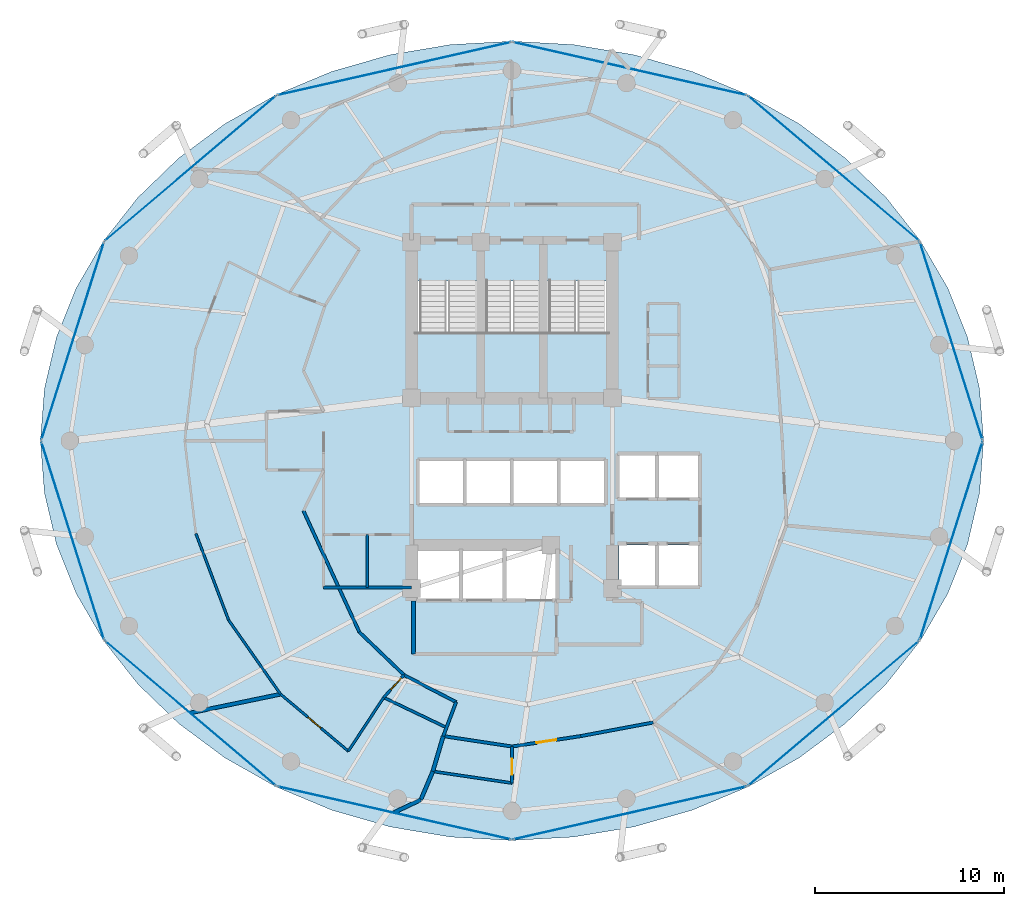
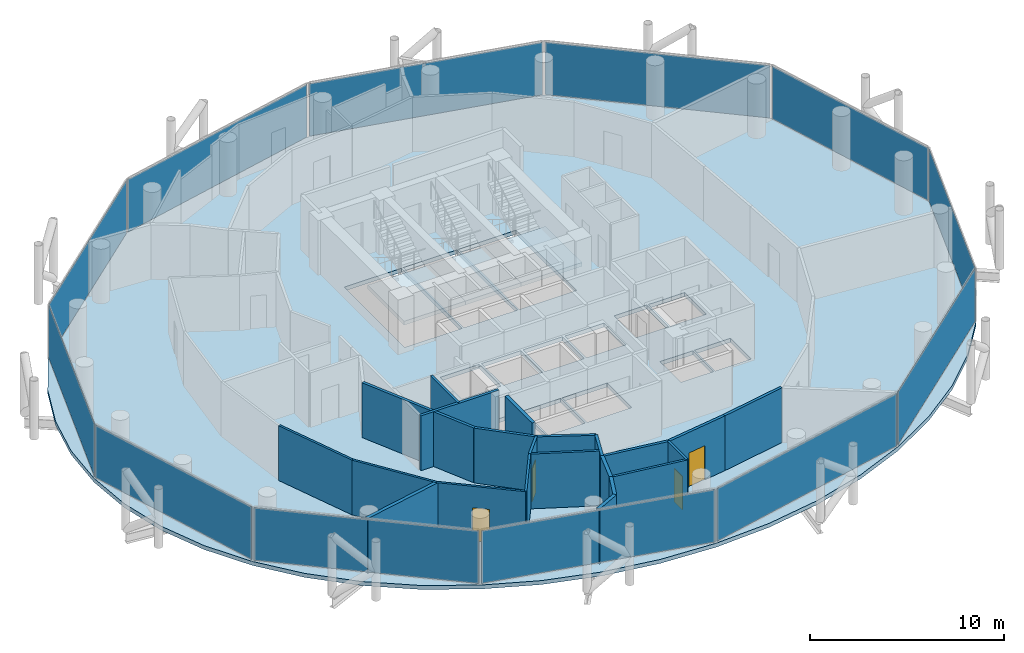
# One storey, part 21 of 26: 22 walls, 12 plates, 4 doors, 4 slabs, 4 openings, 15 elements without a shape of their own.
"""IFC4 building model written with IfcOpenShell, lengths in metres."""

from ifc_helpers import new_model, si_unit, direction, frame, frame_2d, origin, origin_2d, place, context, subcontext, project, spatial, polyline, rectangle, outline, extrude, material, layer, layer_set, type_object, element, fill, aggregate, save


model = new_model("IFC4")

# Units and contexts
model_context = context("Model", 3, precision=1e-05, world=origin(), true_north=direction((0.0, 1.0)))
body_context = subcontext(model_context, "Body", "Model", "MODEL_VIEW")
ifc_project = project(units=[si_unit("LENGTHUNIT", "METRE"), si_unit("AREAUNIT", "SQUARE_METRE"), si_unit("VOLUMEUNIT", "CUBIC_METRE"), si_unit("PLANEANGLEUNIT", "RADIAN"), si_unit("MASSUNIT", "GRAM", prefix="KILO")], contexts=[model_context])

# Site, building, storey
site_placement = place(None, origin())
site = spatial("IfcSite", under=ifc_project, at=site_placement, CompositionType="ELEMENT")
building_placement = place(site_placement, origin())
building = spatial("IfcBuilding", under=site, at=building_placement, Name="Nuhasar Tower", CompositionType="ELEMENT")
storey_placement = place(building_placement, frame((0.0, 0.0, 166.35009765625)))
storey = spatial("IfcBuildingStorey", under=building, at=storey_placement, Name="L40", CompositionType="ELEMENT", Elevation=166.35009765625)

# Curtain wall, plate
ifc_material_1 = material(Name="Aluminium 6063-T6", Category="aluminium")
ifc_layer_1 = layer(ifc_material_1, 0.199951171875)
ifc_layer_set_1 = layer_set([ifc_layer_1], Name="Aluminium 6063-T6")
curtain_wall_type = type_object("IfcCurtainWallType", Name="CW-Z2-HTL", PredefinedType="NOTDEFINED", material=ifc_layer_set_1)
curtain_wall_1_placement = place(storey_placement, origin())
curtain_wall_1 = element("IfcCurtainWall", 1, at=curtain_wall_1_placement, inside=storey, type_object=curtain_wall_type, Name="L40 Unitised Curtain Wall 01", PredefinedType="NOTDEFINED")
ifc_material_2 = material(Name="Glass Double Low-E", Category="glass")
ifc_layer_2 = layer(ifc_material_2, 0.028076171875)
ifc_layer_set_2 = layer_set([ifc_layer_2], Name="Glass Double Low-E")
plate_type = type_object("IfcPlateType", Name="CW-PANEL-GLZ", PredefinedType="CURTAIN_PANEL", material=ifc_layer_set_2)
plate_1_placement = place(storey_placement, frame((62.194580078125, 32.06494140625, 0.06982421875), z_axis=(0.0, 0.0, 1.0), x_axis=(-0.301603667577, 0.953433389233, 0.0)))
plate_1 = element("IfcPlate", 2, at=plate_1_placement, type_object=plate_type, Name="CW-Z2 panel 1.1", PredefinedType="CURTAIN_PANEL", context=body_context, shape_type="SweptSolid", body=[
    extrude(rectangle(XDim=10.904296875, YDim=0.028076171875, at=origin_2d()), origin(), (0.0, 0.0, 1.0), 3.31005859375),
])
aggregate(curtain_wall_1, [plate_1])

curtain_wall_2_placement = place(storey_placement, origin())
curtain_wall_2 = element("IfcCurtainWall", 3, at=curtain_wall_2_placement, inside=storey, type_object=curtain_wall_type, Name="L40 Unitised Curtain Wall 02", PredefinedType="NOTDEFINED")
plate_2_placement = place(storey_placement, frame((55.9794921875, 41.18408203125, 0.06982421875), z_axis=(0.0, 0.0, 1.0), x_axis=(-0.763020370292, 0.646374438324, 0.0)))
plate_2 = element("IfcPlate", 4, at=plate_2_placement, type_object=plate_type, Name="CW-Z2 panel 1.1", PredefinedType="CURTAIN_PANEL", context=body_context, shape_type="SweptSolid", body=[
    extrude(rectangle(XDim=11.784912109375, YDim=0.028076171875, at=origin_2d()), origin(), (0.0, 0.0, 1.0), 3.31005859375),
])
aggregate(curtain_wall_2, [plate_2])

curtain_wall_3_placement = place(storey_placement, origin())
curtain_wall_3 = element("IfcCurtainWall", 5, at=curtain_wall_3_placement, inside=storey, type_object=curtain_wall_type, Name="L40 Unitised Curtain Wall 03", PredefinedType="NOTDEFINED")
plate_3_placement = place(storey_placement, frame((45.215087890625, 46.448974609375, 0.06982421875), z_axis=(0.0, 0.0, 1.0), x_axis=(-0.975183694221, 0.22139729566, 0.0)))
plate_3 = element("IfcPlate", 6, at=plate_3_placement, type_object=plate_type, Name="CW-Z2 panel 1.1", PredefinedType="CURTAIN_PANEL", context=body_context, shape_type="SweptSolid", body=[
    extrude(rectangle(XDim=12.606201171875, YDim=0.028076171875, at=origin_2d()), origin(), (0.0, 0.0, 1.0), 3.31005859375),
])
aggregate(curtain_wall_3, [plate_3])

curtain_wall_4_placement = place(storey_placement, origin())
curtain_wall_4 = element("IfcCurtainWall", 7, at=curtain_wall_4_placement, inside=storey, type_object=curtain_wall_type, Name="L40 Unitised Curtain Wall 04", PredefinedType="NOTDEFINED")
plate_4_placement = place(storey_placement, frame((32.784912109375, 46.448974609375, 0.06982421875), z_axis=(0.0, 0.0, 1.0), x_axis=(-0.975183694221, -0.22139729566, 0.0)))
plate_4 = element("IfcPlate", 8, at=plate_4_placement, type_object=plate_type, Name="CW-Z2 panel 1.1", PredefinedType="CURTAIN_PANEL", context=body_context, shape_type="SweptSolid", body=[
    extrude(rectangle(XDim=12.606201171875, YDim=0.028076171875, at=origin_2d()), origin(), (0.0, 0.0, 1.0), 3.31005859375),
])
aggregate(curtain_wall_4, [plate_4])

curtain_wall_5_placement = place(storey_placement, origin())
curtain_wall_5 = element("IfcCurtainWall", 9, at=curtain_wall_5_placement, inside=storey, type_object=curtain_wall_type, Name="L40 Unitised Curtain Wall 05", PredefinedType="NOTDEFINED")
plate_5_placement = place(storey_placement, frame((22.0205078125, 41.18408203125, 0.06982421875), z_axis=(0.0, 0.0, 1.0), x_axis=(-0.763020370292, -0.646374438324, 0.0)))
plate_5 = element("IfcPlate", 10, at=plate_5_placement, type_object=plate_type, Name="CW-Z2 panel 1.1", PredefinedType="CURTAIN_PANEL", context=body_context, shape_type="SweptSolid", body=[
    extrude(rectangle(XDim=11.784912109375, YDim=0.028076171875, at=origin_2d()), origin(), (0.0, 0.0, 1.0), 3.31005859375),
])
aggregate(curtain_wall_5, [plate_5])

curtain_wall_6_placement = place(storey_placement, origin())
curtain_wall_6 = element("IfcCurtainWall", 11, at=curtain_wall_6_placement, inside=storey, type_object=curtain_wall_type, Name="L40 Unitised Curtain Wall 06", PredefinedType="NOTDEFINED")
plate_6_placement = place(storey_placement, frame((15.805419921875, 32.06494140625, 0.06982421875), z_axis=(0.0, 0.0, 1.0), x_axis=(-0.301603667577, -0.953433389233, 0.0)))
plate_6 = element("IfcPlate", 12, at=plate_6_placement, type_object=plate_type, Name="CW-Z2 panel 1.1", PredefinedType="CURTAIN_PANEL", context=body_context, shape_type="SweptSolid", body=[
    extrude(rectangle(XDim=10.904296875, YDim=0.028076171875, at=origin_2d()), origin(), (0.0, 0.0, 1.0), 3.31005859375),
])
aggregate(curtain_wall_6, [plate_6])

curtain_wall_7_placement = place(storey_placement, origin())
curtain_wall_7 = element("IfcCurtainWall", 13, at=curtain_wall_7_placement, inside=storey, type_object=curtain_wall_type, Name="L40 Unitised Curtain Wall 07", PredefinedType="NOTDEFINED")
plate_7_placement = place(storey_placement, frame((15.805419921875, 21.534912109375, 0.06982421875), z_axis=(0.0, 0.0, 1.0), x_axis=(0.301603667577, -0.953433389233, 0.0)))
plate_7 = element("IfcPlate", 14, at=plate_7_placement, type_object=plate_type, Name="CW-Z2 panel 1.1", PredefinedType="CURTAIN_PANEL", context=body_context, shape_type="SweptSolid", body=[
    extrude(rectangle(XDim=10.904296875, YDim=0.028076171875, at=origin_2d()), origin(), (0.0, 0.0, 1.0), 3.31005859375),
])
aggregate(curtain_wall_7, [plate_7])

curtain_wall_8_placement = place(storey_placement, origin())
curtain_wall_8 = element("IfcCurtainWall", 15, at=curtain_wall_8_placement, inside=storey, type_object=curtain_wall_type, Name="L40 Unitised Curtain Wall 08", PredefinedType="NOTDEFINED")
plate_8_placement = place(storey_placement, frame((22.0205078125, 12.416015625, 0.06982421875), z_axis=(0.0, 0.0, 1.0), x_axis=(0.763020370292, -0.646374438324, 0.0)))
plate_8 = element("IfcPlate", 16, at=plate_8_placement, type_object=plate_type, Name="CW-Z2 panel 1.1", PredefinedType="CURTAIN_PANEL", context=body_context, shape_type="SweptSolid", body=[
    extrude(rectangle(XDim=11.784912109375, YDim=0.028076171875, at=origin_2d()), origin(), (0.0, 0.0, 1.0), 3.31005859375),
])
aggregate(curtain_wall_8, [plate_8])

curtain_wall_9_placement = place(storey_placement, origin())
curtain_wall_9 = element("IfcCurtainWall", 17, at=curtain_wall_9_placement, inside=storey, type_object=curtain_wall_type, Name="L40 Unitised Curtain Wall 09", PredefinedType="NOTDEFINED")
plate_9_placement = place(storey_placement, frame((32.784912109375, 7.15087890625, 0.06982421875), z_axis=(0.0, 0.0, 1.0), x_axis=(0.975183694221, -0.22139729566, 0.0)))
plate_9 = element("IfcPlate", 18, at=plate_9_placement, type_object=plate_type, Name="CW-Z2 panel 1.1", PredefinedType="CURTAIN_PANEL", context=body_context, shape_type="SweptSolid", body=[
    extrude(rectangle(XDim=12.606201171875, YDim=0.028076171875, at=origin_2d()), origin(), (0.0, 0.0, 1.0), 3.31005859375),
])
aggregate(curtain_wall_9, [plate_9])

curtain_wall_10_placement = place(storey_placement, origin())
curtain_wall_10 = element("IfcCurtainWall", 19, at=curtain_wall_10_placement, inside=storey, type_object=curtain_wall_type, Name="L40 Unitised Curtain Wall 10", PredefinedType="NOTDEFINED")
plate_10_placement = place(storey_placement, frame((45.215087890625, 7.15087890625, 0.06982421875), z_axis=(0.0, 0.0, 1.0), x_axis=(0.975183694221, 0.22139729566, 0.0)))
plate_10 = element("IfcPlate", 20, at=plate_10_placement, type_object=plate_type, Name="CW-Z2 panel 1.1", PredefinedType="CURTAIN_PANEL", context=body_context, shape_type="SweptSolid", body=[
    extrude(rectangle(XDim=12.606201171875, YDim=0.028076171875, at=origin_2d()), origin(), (0.0, 0.0, 1.0), 3.31005859375),
])
aggregate(curtain_wall_10, [plate_10])

curtain_wall_11_placement = place(storey_placement, origin())
curtain_wall_11 = element("IfcCurtainWall", 21, at=curtain_wall_11_placement, inside=storey, type_object=curtain_wall_type, Name="L40 Unitised Curtain Wall 11", PredefinedType="NOTDEFINED")
plate_11_placement = place(storey_placement, frame((55.9794921875, 12.416015625, 0.06982421875), z_axis=(0.0, 0.0, 1.0), x_axis=(0.763020370292, 0.646374438324, 0.0)))
plate_11 = element("IfcPlate", 22, at=plate_11_placement, type_object=plate_type, Name="CW-Z2 panel 1.1", PredefinedType="CURTAIN_PANEL", context=body_context, shape_type="SweptSolid", body=[
    extrude(rectangle(XDim=11.784912109375, YDim=0.028076171875, at=origin_2d()), origin(), (0.0, 0.0, 1.0), 3.31005859375),
])
aggregate(curtain_wall_11, [plate_11])

curtain_wall_12_placement = place(storey_placement, origin())
curtain_wall_12 = element("IfcCurtainWall", 23, at=curtain_wall_12_placement, inside=storey, type_object=curtain_wall_type, Name="L40 Unitised Curtain Wall 12", PredefinedType="NOTDEFINED")
plate_12_placement = place(storey_placement, frame((62.194580078125, 21.534912109375, 0.06982421875), z_axis=(0.0, 0.0, 1.0), x_axis=(0.301603667577, 0.953433389233, 0.0)))
plate_12 = element("IfcPlate", 24, at=plate_12_placement, type_object=plate_type, Name="CW-Z2 panel 1.1", PredefinedType="CURTAIN_PANEL", context=body_context, shape_type="SweptSolid", body=[
    extrude(rectangle(XDim=10.904296875, YDim=0.028076171875, at=origin_2d()), origin(), (0.0, 0.0, 1.0), 3.31005859375),
])
aggregate(curtain_wall_12, [plate_12])

# Stair, slab
ifc_material_3 = material(Name="Concrete C45/55", Category="concrete")
stair_type_1 = type_object("IfcStairType", Name="STR-ST-01-2F-22R-1682", PredefinedType="HALF_TURN_STAIR", material=ifc_material_3)
stair_1_placement = place(storey_placement, origin())
stair_1 = element("IfcStair", 25, at=stair_1_placement, inside=storey, type_object=stair_type_1, Name="L40 Exit Stair ST-01", PredefinedType="HALF_TURN_STAIR")
ifc_layer_3 = layer(ifc_material_3, 0.239990234375)
ifc_layer_set_3 = layer_set([ifc_layer_3], Name="Concrete C45/55")
slab_type_1 = type_object("IfcSlabType", Name="SLB-STAIR-LND-240", PredefinedType="LANDING", material=ifc_layer_set_3)
slab_1_placement = place(storey_placement, frame((0.0, 0.0, 1.60986328125)))
slab_1 = element("IfcSlab", 26, at=slab_1_placement, type_object=slab_type_1, Name="ST-01 landing 1", PredefinedType="LANDING", context=body_context, shape_type="SweptSolid", body=[
    extrude(outline(polyline([(33.699951171875, 28.75), (37.35009765625, 28.75), (37.35009765625, 32.52001953125), (33.699951171875, 32.52001953125), (33.699951171875, 28.75)])), origin(), (0.0, 0.0, 1.0), 0.239990234375),
])
aggregate(stair_1, [slab_1])

stair_type_2 = type_object("IfcStairType", Name="STR-ST-03-2F-22R-1682", PredefinedType="HALF_TURN_STAIR", material=ifc_material_3)
stair_2_placement = place(storey_placement, origin())
stair_2 = element("IfcStair", 27, at=stair_2_placement, inside=storey, type_object=stair_type_2, Name="L40 Exit Stair ST-03", PredefinedType="HALF_TURN_STAIR")
slab_2_placement = place(storey_placement, frame((0.0, 0.0, 1.60986328125)))
slab_2 = element("IfcSlab", 28, at=slab_2_placement, type_object=slab_type_1, Name="ST-03 landing 1", PredefinedType="LANDING", context=body_context, shape_type="SweptSolid", body=[
    extrude(outline(polyline([(37.35009765625, 28.75), (40.64990234375, 28.75), (40.64990234375, 32.52001953125), (37.35009765625, 32.52001953125), (37.35009765625, 28.75)])), origin(), (0.0, 0.0, 1.0), 0.239990234375),
])
aggregate(stair_2, [slab_2])

stair_type_3 = type_object("IfcStairType", Name="STR-ST-02-2F-22R-1682", PredefinedType="HALF_TURN_STAIR", material=ifc_material_3)
stair_3_placement = place(storey_placement, origin())
stair_3 = element("IfcStair", 29, at=stair_3_placement, inside=storey, type_object=stair_type_3, Name="L40 Exit Stair ST-02", PredefinedType="HALF_TURN_STAIR")
slab_3_placement = place(storey_placement, frame((0.0, 0.0, 1.60986328125)))
slab_3 = element("IfcSlab", 30, at=slab_3_placement, type_object=slab_type_1, Name="ST-02 landing 1", PredefinedType="LANDING", context=body_context, shape_type="SweptSolid", body=[
    extrude(outline(polyline([(40.64990234375, 28.75), (44.300048828125, 28.75), (44.300048828125, 32.52001953125), (40.64990234375, 32.52001953125), (40.64990234375, 28.75)])), origin(), (0.0, 0.0, 1.0), 0.239990234375),
])
aggregate(stair_3, [slab_3])

# Slab
ifc_layer_4 = layer(ifc_material_3, 0.25)
ifc_layer_set_4 = layer_set([ifc_layer_4], Name="Concrete C45/55")
slab_type_2 = type_object("IfcSlabType", Name="SLB-Z1B-250", PredefinedType="FLOOR", material=ifc_layer_set_4)
slab_4_placement = place(storey_placement, frame((0.0, 0.0, -0.25)))
element("IfcSlab", 31, at=slab_4_placement, inside=storey, type_object=slab_type_2, Name="L40 Structural Slab", PredefinedType="FLOOR", context=body_context, shape_type="SweptSolid", body=[
    extrude(outline(polyline([(63.89990234375, 26.800048828125), (63.68701171875, 29.553955078125), (63.052001953125, 32.260986328125), (62.0048828125, 34.875), (60.56396484375, 37.35009765625), (58.75390625, 39.64501953125), (56.60693359375, 41.719970703125), (54.157958984375, 43.5400390625), (51.449951171875, 45.072998046875), (48.529052734375, 46.2939453125), (45.445068359375, 47.180908203125), (42.25, 47.718994140625), (39.0, 47.89990234375), (35.75, 47.718994140625), (32.554931640625, 47.180908203125), (29.470947265625, 46.2939453125), (26.550048828125, 45.072998046875), (23.842041015625, 43.5400390625), (21.39306640625, 41.719970703125), (19.24609375, 39.64501953125), (17.43603515625, 37.35009765625), (15.9951171875, 34.875), (14.947998046875, 32.260986328125), (14.31298828125, 29.553955078125), (14.10009765625, 26.800048828125), (14.31298828125, 24.0458984375), (14.947998046875, 21.339111328125), (15.9951171875, 18.72509765625), (17.43603515625, 16.25), (19.24609375, 13.955078125), (21.39306640625, 11.8798828125), (23.842041015625, 10.06005859375), (26.550048828125, 8.527099609375), (29.470947265625, 7.305908203125), (32.554931640625, 6.4189453125), (35.75, 5.881103515625), (39.0, 5.699951171875), (42.25, 5.881103515625), (45.445068359375, 6.4189453125), (48.529052734375, 7.305908203125), (51.449951171875, 8.527099609375), (54.157958984375, 10.06005859375), (56.60693359375, 11.8798828125), (58.75390625, 13.955078125), (60.56396484375, 16.25), (62.0048828125, 18.72509765625), (63.052001953125, 21.339111328125), (63.68701171875, 24.0458984375), (63.89990234375, 26.800048828125)]), holes=[polyline([(33.8798828125, 35.25), (37.300048828125, 35.25), (37.300048828125, 29.0), (33.8798828125, 29.0), (33.8798828125, 35.25)]), polyline([(37.39990234375, 35.25), (40.60009765625, 35.25), (40.60009765625, 29.0), (37.39990234375, 29.0), (37.39990234375, 35.25)]), polyline([(40.699951171875, 35.25), (44.1201171875, 35.25), (44.1201171875, 29.0), (40.699951171875, 29.0), (40.699951171875, 35.25)]), polyline([(44.64990234375, 26.050048828125), (46.60009765625, 26.050048828125), (46.60009765625, 23.800048828125), (44.64990234375, 23.800048828125), (44.64990234375, 26.050048828125)]), polyline([(46.699951171875, 26.050048828125), (48.85009765625, 26.050048828125), (48.85009765625, 23.800048828125), (46.699951171875, 23.800048828125), (46.699951171875, 26.050048828125)]), polyline([(44.64990234375, 21.300048828125), (46.60009765625, 21.300048828125), (46.60009765625, 19.14990234375), (44.64990234375, 19.14990234375), (44.64990234375, 21.300048828125)]), polyline([(46.699951171875, 21.300048828125), (48.85009765625, 21.300048828125), (48.85009765625, 19.14990234375), (46.699951171875, 19.14990234375), (46.699951171875, 21.300048828125)]), polyline([(34.10009765625, 25.75), (36.43994140625, 25.75), (36.43994140625, 23.5), (34.10009765625, 23.5), (34.10009765625, 25.75)]), polyline([(36.580078125, 25.75), (38.919921875, 25.75), (38.919921875, 23.5), (36.580078125, 23.5), (36.580078125, 25.75)]), polyline([(39.06005859375, 25.75), (41.39990234375, 25.75), (41.39990234375, 23.5), (39.06005859375, 23.5), (39.06005859375, 25.75)]), polyline([(41.5400390625, 25.75), (43.8798828125, 25.75), (43.8798828125, 23.5), (41.5400390625, 23.5), (41.5400390625, 25.75)]), polyline([(34.050048828125, 21.0), (36.25, 21.0), (36.25, 18.449951171875), (34.050048828125, 18.449951171875), (34.050048828125, 21.0)]), polyline([(36.35009765625, 21.0), (38.550048828125, 21.0), (38.550048828125, 18.449951171875), (36.35009765625, 18.449951171875), (36.35009765625, 21.0)]), polyline([(38.64990234375, 21.0), (41.320068359375, 21.0), (41.320068359375, 18.449951171875), (38.64990234375, 18.449951171875), (38.64990234375, 21.0)])]), origin(), (0.0, 0.0, 1.0), 0.25),
])

# Walls
ifc_material_4 = material(Name="Gypsum Board", Category="gypsum")
ifc_layer_5 = layer(ifc_material_4, 0.159912109375)
ifc_layer_set_5 = layer_set([ifc_layer_5], Name="Gypsum Board")
wall_type_1 = type_object("IfcWallType", Name="WL-CORR-160", PredefinedType="PARTITIONING", material=ifc_layer_set_5)
wall_1_placement = place(storey_placement, frame((29.050048828125, 19.050048828125, 0.0), z_axis=(0.0, 0.0, 1.0), x_axis=(1.0, 0.0, 0.0)))
element("IfcWall", 32, at=wall_1_placement, inside=storey, type_object=wall_type_1, Name="L40 Interior Partition RECL-B1-S", PredefinedType="PARTITIONING", context=body_context, shape_type="SweptSolid", body=[
    extrude(rectangle(XDim=4.64990234375, YDim=0.159912109375, at=frame_2d((2.324951171875, 0.0))), origin(), (0.0, 0.0, 1.0), 3.449951171875),
])
wall_2_placement = place(storey_placement, frame((35.37109375, 11.2099609375, 0.0), z_axis=(0.0, 0.0, 1.0), x_axis=(0.988706844632, -0.149862521593, 0.0)))
element("IfcWall", 33, at=wall_2_placement, inside=storey, type_object=wall_type_1, Name="L40 Interior Partition CORR-34", PredefinedType="PARTITIONING", context=body_context, shape_type="SweptSolid", body=[
    extrude(rectangle(XDim=3.67041015625, YDim=0.159912109375, at=frame_2d((1.835205078125, 0.0))), origin(), (0.0, 0.0, 1.0), 3.449951171875),
])

# Wall, opening, door
wall_3_placement = place(storey_placement, frame((42.62890625, 11.2099609375, 0.0), z_axis=(0.0, 0.0, 1.0), x_axis=(-0.988706844632, -0.149862521593, 0.0)))
wall_3 = element("IfcWall", 34, at=wall_3_placement, inside=storey, type_object=wall_type_1, Name="L40 Interior Partition CORR-36", PredefinedType="PARTITIONING", context=body_context, shape_type="SweptSolid", body=[
    extrude(rectangle(XDim=3.67041015625, YDim=0.159912109375, at=frame_2d((1.835205078125, 0.0))), origin(), (0.0, 0.0, 1.0), 3.449951171875),
])
opening_1_placement = place(wall_3_placement, frame((1.31005859375, 0.0, 0.0)))
opening_1 = element("IfcOpeningElement", 35, at=opening_1_placement, cuts=wall_3, Name="Opening DU-01", PredefinedType="OPENING", context=body_context, shape_type="SweptSolid", body=[
    extrude(rectangle(XDim=1.050048828125, YDim=2.14990234375, at=frame_2d((0.52490234375, 1.074951171875))), frame((0.0, 0.08984375, 0.0), z_axis=(0.0, -1.0, 0.0), x_axis=(1.0, 0.0, 0.0)), (0.0, 0.0, 1.0), 0.179931640625),
])
ifc_material_5 = material(Name="Timber Oak", Category="wood")
door_type_1 = type_object("IfcDoorType", Name="DR-SUITE-FD60-1050", OperationType="NOTDEFINED", PredefinedType="DOOR", material=ifc_material_5)
door_1_placement = place(opening_1_placement, origin())
door_1 = element("IfcDoor", 36, at=door_1_placement, inside=storey, type_object=door_type_1, Name="L40 Ambassador Junior Suite 01 Entrance Door", OperationType="SINGLE_SWING_LEFT", OverallHeight=2.14990234375, OverallWidth=1.050048828125, PredefinedType="DOOR", context=body_context, shape_type="SweptSolid", body=[
    extrude(rectangle(XDim=1.050048828125, YDim=2.14990234375, at=frame_2d((0.52490234375, 1.074951171875))), frame((0.0, 0.02490234375, 0.0), z_axis=(0.0, -1.0, 0.0), x_axis=(1.0, 0.0, 0.0)), (0.0, 0.0, 1.0), 0.050048828125),
])
fill(opening_1, door_1)

# Walls
wall_4_placement = place(storey_placement, frame((42.62890625, 11.2099609375, 0.0), z_axis=(0.0, 0.0, 1.0), x_axis=(0.982869349067, 0.184303669702, 0.0)))
element("IfcWall", 37, at=wall_4_placement, inside=storey, type_object=wall_type_1, Name="L40 Interior Partition CORR-38", PredefinedType="PARTITIONING", context=body_context, shape_type="SweptSolid", body=[
    extrude(rectangle(XDim=3.895751953125, YDim=0.159912109375, at=frame_2d((1.94775390625, 0.0))), origin(), (0.0, 0.0, 1.0), 3.449951171875),
])
wall_5_placement = place(storey_placement, frame((36.049072265625, 13.007080078125, 0.0), z_axis=(0.0, 0.0, 1.0), x_axis=(-0.352975378349, -0.93563261074, 0.0)))
element("IfcWall", 38, at=wall_5_placement, inside=storey, type_object=wall_type_1, Name="L40 Interior Partition HRAD-34-IN", PredefinedType="PARTITIONING", context=body_context, shape_type="SweptSolid", body=[
    extrude(rectangle(XDim=1.920654296875, YDim=0.159912109375, at=frame_2d((0.96044921875, 0.0))), origin(), (0.0, 0.0, 1.0), 3.449951171875),
])
wall_6_placement = place(storey_placement, frame((27.988037109375, 23.10400390625, 0.0), z_axis=(0.0, 0.0, 1.0), x_axis=(0.418656179426, -0.908144814128, 0.0)))
element("IfcWall", 39, at=wall_6_placement, inside=storey, type_object=wall_type_1, Name="L40 Interior Partition HWEST-CORE-S1-26", PredefinedType="PARTITIONING", context=body_context, shape_type="SweptSolid", body=[
    extrude(rectangle(XDim=7.048583984375, YDim=0.159912109375, at=frame_2d((3.5244140625, 0.0))), origin(), (0.0, 0.0, 1.0), 3.449951171875),
])
wall_7_placement = place(storey_placement, frame((30.93896484375, 16.702880859375, 0.0), z_axis=(0.0, 0.0, 1.0), x_axis=(0.72090897908, -0.693029756851, 0.0)))
element("IfcWall", 40, at=wall_7_placement, inside=storey, type_object=wall_type_1, Name="L40 Interior Partition HWEST-CORE-S2-30", PredefinedType="PARTITIONING", context=body_context, shape_type="SweptSolid", body=[
    extrude(rectangle(XDim=3.275146484375, YDim=0.159912109375, at=frame_2d((1.6376953125, 0.0))), origin(), (0.0, 0.0, 1.0), 3.449951171875),
])
wall_8_placement = place(storey_placement, frame((33.300048828125, 14.43310546875, 0.0), z_axis=(0.0, 0.0, 1.0), x_axis=(0.887674575788, -0.460471331898, 0.0)))
element("IfcWall", 41, at=wall_8_placement, inside=storey, type_object=wall_type_1, Name="L40 Interior Partition HWEST-CORE-S2-32", PredefinedType="PARTITIONING", context=body_context, shape_type="SweptSolid", body=[
    extrude(rectangle(XDim=3.096923828125, YDim=0.159912109375, at=frame_2d((1.54833984375, 0.0))), origin(), (0.0, 0.0, 1.0), 3.449951171875),
])
ifc_layer_6 = layer(ifc_material_3, 0.199951171875)
ifc_layer_set_6 = layer_set([ifc_layer_6], Name="Concrete C45/55")
wall_type_2 = type_object("IfcWallType", Name="WL-LOBBY-200", PredefinedType="SOLIDWALL", material=ifc_layer_set_6)
wall_9_placement = place(storey_placement, frame((33.800048828125, 15.550048828125, 0.0), z_axis=(0.0, 0.0, 1.0), x_axis=(0.0, 1.0, 0.0)))
element("IfcWall", 42, at=wall_9_placement, inside=storey, type_object=wall_type_2, Name="L40 Interior Partition FFL-W", PredefinedType="SOLIDWALL", context=body_context, shape_type="SweptSolid", body=[
    extrude(rectangle(XDim=2.800048828125, YDim=0.199951171875, at=frame_2d((1.39990234375, 0.0))), origin(), (0.0, 0.0, 1.0), 3.449951171875),
])
ifc_layer_7 = layer(ifc_material_4, 0.125)
ifc_layer_set_7 = layer_set([ifc_layer_7], Name="Gypsum Board")
wall_type_3 = type_object("IfcWallType", Name="WL-PART-125", PredefinedType="PARTITIONING", material=ifc_layer_set_7)
wall_10_placement = place(storey_placement, frame((31.35009765625, 19.050048828125, 0.0), z_axis=(0.0, 0.0, 1.0), x_axis=(0.0, 1.0, 0.0)))
element("IfcWall", 43, at=wall_10_placement, inside=storey, type_object=wall_type_3, Name="L40 Interior Partition HKPK1-V", PredefinedType="PARTITIONING", context=body_context, shape_type="SweptSolid", body=[
    extrude(rectangle(XDim=2.800048828125, YDim=0.125, at=frame_2d((1.39990234375, 0.0))), origin(), (0.0, 0.0, 1.0), 3.449951171875),
])
wall_11_placement = place(storey_placement, frame((32.22509765625, 13.2470703125, 0.0), z_axis=(0.0, 0.0, 1.0), x_axis=(-0.54998934466, -0.835171671431, 0.0)))
element("IfcWall", 44, at=wall_11_placement, inside=storey, type_object=wall_type_3, Name="L40 Interior Partition HWS2-N", PredefinedType="PARTITIONING", context=body_context, shape_type="SweptSolid", body=[
    extrude(rectangle(XDim=3.390869140625, YDim=0.125, at=frame_2d((1.6953125, 0.0))), origin(), (0.0, 0.0, 1.0), 3.449951171875),
])
wall_12_placement = place(storey_placement, frame((22.30908203125, 21.903076171875, 0.0), z_axis=(0.0, 0.0, 1.0), x_axis=(0.353765495648, -0.935334151033, 0.0)))
element("IfcWall", 45, at=wall_12_placement, inside=storey, type_object=wall_type_3, Name="L40 Interior Partition HWS2-ARC-26", PredefinedType="PARTITIONING", context=body_context, shape_type="SweptSolid", body=[
    extrude(rectangle(XDim=4.87841796875, YDim=0.125, at=frame_2d((2.439208984375, 0.0))), origin(), (0.0, 0.0, 1.0), 3.449951171875),
])
wall_13_placement = place(storey_placement, frame((24.034912109375, 17.340087890625, 0.0), z_axis=(0.0, 0.0, 1.0), x_axis=(0.573955390482, -0.818886567075, 0.0)))
element("IfcWall", 46, at=wall_13_placement, inside=storey, type_object=wall_type_3, Name="L40 Interior Partition HWS2-ARC-28", PredefinedType="PARTITIONING", context=body_context, shape_type="SweptSolid", body=[
    extrude(rectangle(XDim=4.784423828125, YDim=0.125, at=frame_2d((2.39208984375, 0.0))), origin(), (0.0, 0.0, 1.0), 3.449951171875),
])

# Wall, opening, door
wall_14_placement = place(storey_placement, frame((26.781005859375, 13.422119140625, 0.0), z_axis=(0.0, 0.0, 1.0), x_axis=(0.765637985473, -0.643271696253, 0.0)))
wall_14 = element("IfcWall", 47, at=wall_14_placement, inside=storey, type_object=wall_type_3, Name="L40 Interior Partition HWS2-ARC-30", PredefinedType="PARTITIONING", context=body_context, shape_type="SweptSolid", body=[
    extrude(rectangle(XDim=4.674560546875, YDim=0.125, at=frame_2d((2.33740234375, 0.0))), origin(), (0.0, 0.0, 1.0), 3.449951171875),
])
opening_2_placement = place(wall_14_placement, frame((1.886962890625, 0.0, 0.0)))
opening_2 = element("IfcOpeningElement", 48, at=opening_2_placement, cuts=wall_14, Name="Opening DR-01", PredefinedType="OPENING", context=body_context, shape_type="SweptSolid", body=[
    extrude(rectangle(XDim=0.89990234375, YDim=2.10009765625, at=frame_2d((0.449951171875, 1.050048828125))), frame((0.0, 0.072509765625, 0.0), z_axis=(0.0, -1.0, 0.0), x_axis=(1.0, 0.0, 0.0)), (0.0, 0.0, 1.0), 0.14501953125),
])
door_type_2 = type_object("IfcDoorType", Name="DR-ROOM-900", OperationType="NOTDEFINED", PredefinedType="DOOR", material=ifc_material_5)
door_2_placement = place(opening_2_placement, origin())
door_2 = element("IfcDoor", 49, at=door_2_placement, inside=storey, type_object=door_type_2, Name="L40 South-West Presidential Suite Bedroom Door", OperationType="SINGLE_SWING_LEFT", OverallHeight=2.10009765625, OverallWidth=0.89990234375, PredefinedType="DOOR", context=body_context, shape_type="SweptSolid", body=[
    extrude(rectangle(XDim=0.89990234375, YDim=2.10009765625, at=frame_2d((0.449951171875, 1.050048828125))), frame((0.0, 0.02490234375, 0.0), z_axis=(0.0, -1.0, 0.0), x_axis=(1.0, 0.0, 0.0)), (0.0, 0.0, 1.0), 0.050048828125),
])
fill(opening_2, door_2)

# Walls
ifc_material_6 = material(Name="Concrete C40/50 precast", Category="concrete")
ifc_layer_8 = layer(ifc_material_6, 0.199951171875)
ifc_layer_set_8 = layer_set([ifc_layer_8], Name="Concrete C40/50 precast")
wall_type_4 = type_object("IfcWallType", Name="WL-UNIT-200", PredefinedType="PARTITIONING", material=ifc_layer_set_8)
wall_15_placement = place(storey_placement, frame((35.37109375, 11.2099609375, 0.0), z_axis=(0.0, 0.0, 1.0), x_axis=(-0.283485285535, -0.958976586203, 0.0)))
element("IfcWall", 50, at=wall_15_placement, inside=storey, type_object=wall_type_4, Name="L40 Interior Partition HRAD-34-OUT-S1", PredefinedType="PARTITIONING", context=body_context, shape_type="SweptSolid", body=[
    extrude(rectangle(XDim=1.94384765625, YDim=0.199951171875, at=frame_2d((0.971923828125, 0.0))), origin(), (0.0, 0.0, 1.0), 3.449951171875),
])
wall_16_placement = place(storey_placement, frame((34.820068359375, 9.345947265625, 0.0), z_axis=(0.0, 0.0, 1.0), x_axis=(-0.39003681134, -0.920799264661, 0.0)))
element("IfcWall", 51, at=wall_16_placement, inside=storey, type_object=wall_type_4, Name="L40 Interior Partition HRAD-34-OUT-S2", PredefinedType="PARTITIONING", context=body_context, shape_type="SweptSolid", body=[
    extrude(rectangle(XDim=1.62548828125, YDim=0.199951171875, at=frame_2d((0.812744140625, 0.0))), origin(), (0.0, 0.0, 1.0), 3.449951171875),
])
wall_17_placement = place(storey_placement, frame((34.18603515625, 7.84912109375, 0.0), z_axis=(0.0, 0.0, 1.0), x_axis=(-0.902321597734, -0.431063492148, 0.0)))
element("IfcWall", 52, at=wall_17_placement, inside=storey, type_object=wall_type_4, Name="L40 Interior Partition HRAD-34-OUT-S3", PredefinedType="PARTITIONING", context=body_context, shape_type="SweptSolid", body=[
    extrude(rectangle(XDim=1.542724609375, YDim=0.199951171875, at=frame_2d((0.771484375, 0.0))), origin(), (0.0, 0.0, 1.0), 3.449951171875),
])
wall_18_placement = place(storey_placement, frame((26.781005859375, 13.422119140625, 0.0), z_axis=(0.0, 0.0, 1.0), x_axis=(-0.979174362296, -0.203021102897, 0.0)))
element("IfcWall", 53, at=wall_18_placement, inside=storey, type_object=wall_type_4, Name="L40 Interior Partition HWEST-DIV-OUT", PredefinedType="PARTITIONING", context=body_context, shape_type="SweptSolid", body=[
    extrude(rectangle(XDim=4.837890625, YDim=0.199951171875, at=frame_2d((2.4189453125, 0.0))), origin(), (0.0, 0.0, 1.0), 3.449951171875),
])

# Wall, opening, door
ifc_layer_9 = layer(ifc_material_6, 0.139892578125)
ifc_layer_set_9 = layer_set([ifc_layer_9], Name="Concrete C40/50 precast")
wall_type_5 = type_object("IfcWallType", Name="WL-WET-140", PredefinedType="PARTITIONING", material=ifc_layer_set_9)
wall_19_placement = place(storey_placement, frame((39.0, 10.659912109375, 0.0), z_axis=(0.0, 0.0, 1.0), x_axis=(0.0, -1.0, 0.0)))
wall_19 = element("IfcWall", 54, at=wall_19_placement, inside=storey, type_object=wall_type_5, Name="L40 Interior Partition HBW-01", PredefinedType="PARTITIONING", context=body_context, shape_type="SweptSolid", body=[
    extrude(rectangle(XDim=1.929931640625, YDim=0.139892578125, at=frame_2d((0.96484375, 0.0))), origin(), (0.0, 0.0, 1.0), 3.449951171875),
])
opening_3_placement = place(wall_19_placement, frame((0.635986328125, 0.0, 0.0)))
opening_3 = element("IfcOpeningElement", 55, at=opening_3_placement, cuts=wall_19, Name="Opening DB-01", PredefinedType="OPENING", context=body_context, shape_type="SweptSolid", body=[
    extrude(rectangle(XDim=0.85009765625, YDim=2.10009765625, at=frame_2d((0.425048828125, 1.050048828125))), frame((0.0, 0.080078125, 0.0), z_axis=(0.0, -1.0, 0.0), x_axis=(1.0, 0.0, 0.0)), (0.0, 0.0, 1.0), 0.159912109375),
])
door_type_3 = type_object("IfcDoorType", Name="DR-BATH-850", OperationType="NOTDEFINED", PredefinedType="DOOR", material=ifc_material_5)
door_3_placement = place(opening_3_placement, origin())
door_3 = element("IfcDoor", 56, at=door_3_placement, inside=storey, type_object=door_type_3, Name="L40 Ambassador Junior Suite 01 En-Suite Door", OperationType="SINGLE_SWING_RIGHT", OverallHeight=2.10009765625, OverallWidth=0.85009765625, PredefinedType="DOOR", context=body_context, shape_type="SweptSolid", body=[
    extrude(rectangle(XDim=0.85009765625, YDim=2.10009765625, at=frame_2d((0.425048828125, 1.050048828125))), frame((0.0, 0.02490234375, 0.0), z_axis=(0.0, -1.0, 0.0), x_axis=(1.0, 0.0, 0.0)), (0.0, 0.0, 1.0), 0.050048828125),
])
fill(opening_3, door_3)

# Wall
wall_20_placement = place(storey_placement, frame((34.820068359375, 9.345947265625, 0.0), z_axis=(0.0, 0.0, 1.0), x_axis=(0.989315790423, -0.145788431706, 0.0)))
element("IfcWall", 57, at=wall_20_placement, inside=storey, type_object=wall_type_5, Name="L40 Interior Partition HBF-01-34", PredefinedType="PARTITIONING", context=body_context, shape_type="SweptSolid", body=[
    extrude(rectangle(XDim=4.22509765625, YDim=0.139892578125, at=frame_2d((2.112548828125, 0.0))), origin(), (0.0, 0.0, 1.0), 3.449951171875),
])

# Wall, opening, door
wall_21_placement = place(storey_placement, frame((33.300048828125, 14.43310546875, 0.0), z_axis=(0.0, 0.0, 1.0), x_axis=(-0.671556062003, -0.740953747266, 0.0)))
wall_21 = element("IfcWall", 58, at=wall_21_placement, inside=storey, type_object=wall_type_5, Name="L40 Interior Partition HBW2-N", PredefinedType="PARTITIONING", context=body_context, shape_type="SweptSolid", body=[
    extrude(rectangle(XDim=1.6005859375, YDim=0.139892578125, at=frame_2d((0.80029296875, 0.0))), origin(), (0.0, 0.0, 1.0), 3.449951171875),
])
opening_4_placement = place(wall_21_placement, frame((0.199951171875, 0.0, 0.0)))
opening_4 = element("IfcOpeningElement", 59, at=opening_4_placement, cuts=wall_21, Name="Opening DB-01", PredefinedType="OPENING", context=body_context, shape_type="SweptSolid", body=[
    extrude(rectangle(XDim=0.85009765625, YDim=2.10009765625, at=frame_2d((0.425048828125, 1.050048828125))), frame((0.0, 0.080078125, 0.0), z_axis=(0.0, -1.0, 0.0), x_axis=(1.0, 0.0, 0.0)), (0.0, 0.0, 1.0), 0.159912109375),
])
door_4_placement = place(opening_4_placement, origin())
door_4 = element("IfcDoor", 60, at=door_4_placement, inside=storey, type_object=door_type_3, Name="L40 South-West Presidential Suite En-Suite Door", OperationType="SINGLE_SWING_LEFT", OverallHeight=2.10009765625, OverallWidth=0.85009765625, PredefinedType="DOOR", context=body_context, shape_type="SweptSolid", body=[
    extrude(rectangle(XDim=0.85009765625, YDim=2.10009765625, at=frame_2d((0.425048828125, 1.050048828125))), frame((0.0, 0.02490234375, 0.0), z_axis=(0.0, -1.0, 0.0), x_axis=(1.0, 0.0, 0.0)), (0.0, 0.0, 1.0), 0.050048828125),
])
fill(opening_4, door_4)

# Wall
wall_22_placement = place(storey_placement, frame((32.22509765625, 13.2470703125, 0.0), z_axis=(0.0, 0.0, 1.0), x_axis=(0.902016722043, -0.431701092372, 0.0)))
element("IfcWall", 61, at=wall_22_placement, inside=storey, type_object=wall_type_5, Name="L40 Interior Partition HBW2-E", PredefinedType="PARTITIONING", context=body_context, shape_type="SweptSolid", body=[
    extrude(rectangle(XDim=3.622802734375, YDim=0.139892578125, at=frame_2d((1.8115234375, 0.0))), origin(), (0.0, 0.0, 1.0), 3.449951171875),
])

save(model, "model.ifc")
